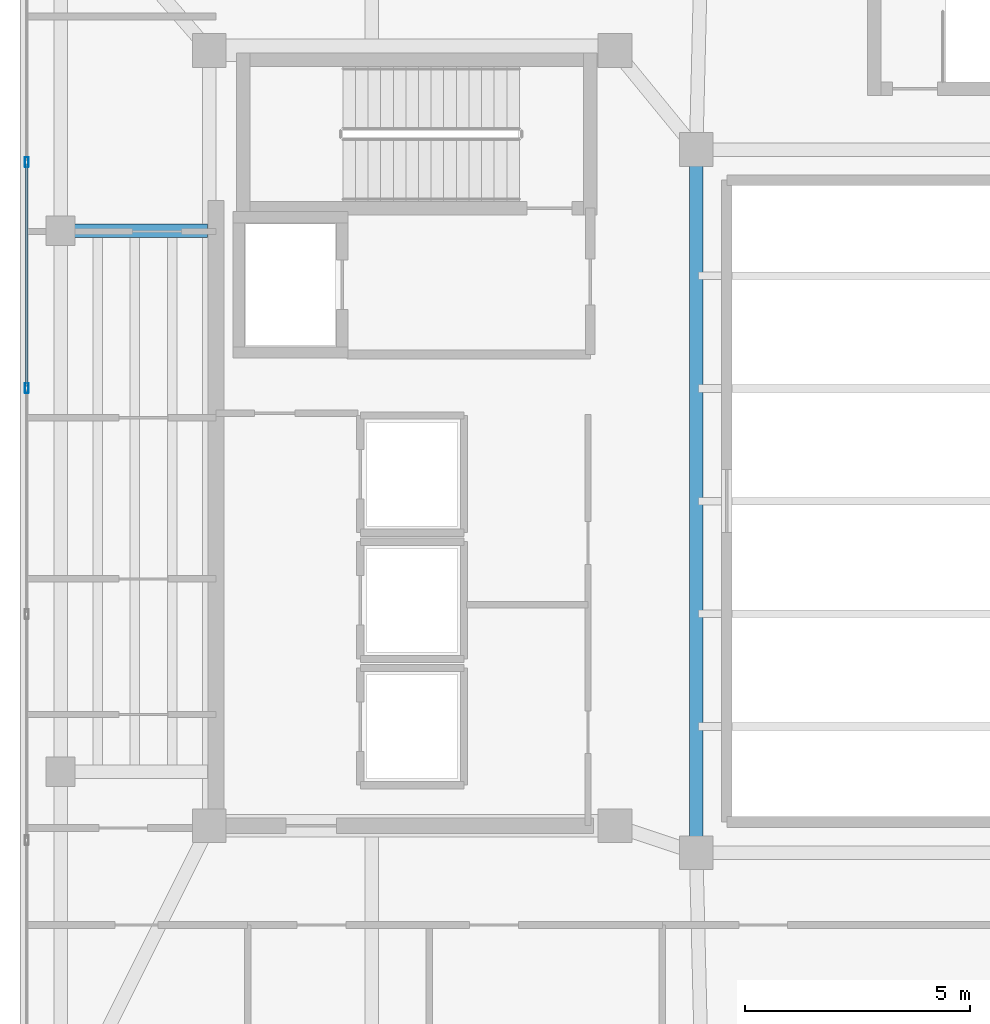
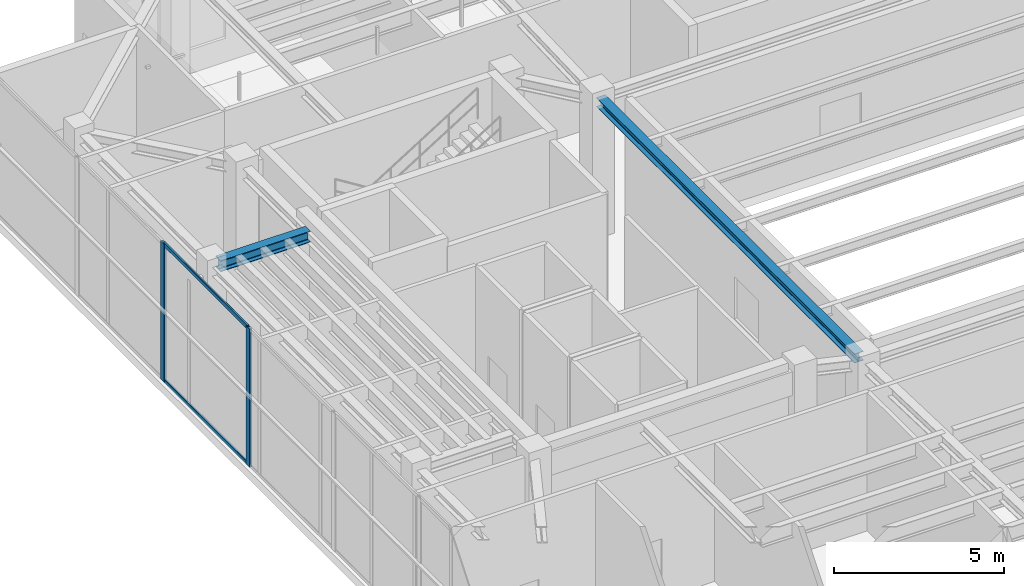
# One storey, part 6 of 23: 4 members, 2 beams, 1 element without a shape of its own.
"""IFC4 building model written with IfcOpenShell, lengths in metres."""

from ifc_helpers import new_model, si_unit, direction, frame, origin, origin_2d, place, context, subcontext, project, spatial, hollow_rectangle, i_section, extrude, material, layer, layer_set, material_profile, profile_set, type_object, element, aggregate, save


model = new_model("IFC4")

# Units and contexts
model_context = context("Model", 3, precision=1e-05, world=origin(), true_north=direction((0.0, 1.0)))
body_context = subcontext(model_context, "Body", "Model", "MODEL_VIEW")
ifc_project = project(units=[si_unit("LENGTHUNIT", "METRE"), si_unit("AREAUNIT", "SQUARE_METRE"), si_unit("VOLUMEUNIT", "CUBIC_METRE"), si_unit("PLANEANGLEUNIT", "RADIAN"), si_unit("MASSUNIT", "GRAM", prefix="KILO")], contexts=[model_context])

# Site, building, storey
site_placement = place(None, origin())
site = spatial("IfcSite", under=ifc_project, at=site_placement, CompositionType="ELEMENT")
building_placement = place(site_placement, origin())
building = spatial("IfcBuilding", under=site, at=building_placement, Name="Tarnavaz Court Tower", CompositionType="ELEMENT")
storey_placement = place(building_placement, frame((0.0, 0.0, 276.300048828125)))
storey = spatial("IfcBuildingStorey", under=building, at=storey_placement, Name="L75", CompositionType="ELEMENT", Elevation=276.300048828125)

# Beams
ifc_material_1 = material(Name="Steel S355", Category="steel")
ifc_material_profile_1 = material_profile(ifc_material_1, i_section(OverallWidth=0.300048828125, OverallDepth=0.39990234375, WebThickness=0.013427734375, FlangeThickness=0.02392578125, FilletRadius=0.027099609375, at=origin_2d()), Name="HEB 400")
ifc_profile_set_1 = profile_set([ifc_material_profile_1], Name="Steel S355")
beam_type_1 = type_object("IfcBeamType", Name="BM-G-HEB400", PredefinedType="USERDEFINED", material=ifc_profile_set_1)
beam_1_placement = place(storey_placement, frame((-18.639892578125, 6.0, 4.75), z_axis=(-1.0, 0.0, 0.0), x_axis=(0.0, -1.0, 0.0)))
element("IfcBeam", 1, at=beam_1_placement, inside=storey, type_object=beam_type_1, Name="L75 Beam RG-14", ObjectType="GIRDER", PredefinedType="USERDEFINED", context=body_context, shape_type="SweptSolid", body=[
    extrude(i_section(OverallWidth=0.300048828125, OverallDepth=0.39990234375, WebThickness=0.013427734375, FlangeThickness=0.02392578125, FilletRadius=0.027099609375, at=origin_2d()), origin(), (0.0, 0.0, 1.0), 3.0400390625),
])
ifc_material_profile_2 = material_profile(ifc_material_1, i_section(OverallWidth=0.300048828125, OverallDepth=0.330078125, WebThickness=0.009521484375, FlangeThickness=0.0166015625, FilletRadius=0.027099609375, at=origin_2d()), Name="HEA 340")
ifc_profile_set_2 = profile_set([ifc_material_profile_2], Name="Steel S355")
beam_type_2 = type_object("IfcBeamType", Name="BM-SP-HEA340", PredefinedType="BEAM", material=ifc_profile_set_2)
beam_2_placement = place(storey_placement, frame((-7.800048828125, -7.580078125, 4.784912109375), z_axis=(0.0, 1.0, 0.0), x_axis=(-1.0, 0.0, 0.0)))
element("IfcBeam", 2, at=beam_2_placement, inside=storey, type_object=beam_type_2, Name="L75 Beam IN-IW-SW-IW-NW", PredefinedType="BEAM", context=body_context, shape_type="SweptSolid", body=[
    extrude(i_section(OverallWidth=0.300048828125, OverallDepth=0.330078125, WebThickness=0.009521484375, FlangeThickness=0.0166015625, FilletRadius=0.027099609375, at=origin_2d()), origin(), (0.0, 0.0, 1.0), 15.16015625),
])

# Curtain wall, members
ifc_material_2 = material(Name="Anodised Aluminium 6063-T6 and Solar Low-E Glazing", Category="aluminium")
ifc_layer = layer(ifc_material_2, 0.2099609375)
ifc_layer_set = layer_set([ifc_layer], Name="Anodised Aluminium 6063-T6 and Solar Low-E Glazing")
curtain_wall_type = type_object("IfcCurtainWallType", Name="CW-SYS-06", PredefinedType="NOTDEFINED", material=ifc_layer_set)
curtain_wall_placement = place(storey_placement, origin())
curtain_wall = element("IfcCurtainWall", 3, at=curtain_wall_placement, inside=storey, type_object=curtain_wall_type, Name="L75 Observation Curtain Wall 2", PredefinedType="NOTDEFINED")
ifc_material_3 = material(Name="Anodised Aluminium 6063-T6", Category="aluminium")
ifc_material_profile_3 = material_profile(ifc_material_3, hollow_rectangle(XDim=0.0849609375, YDim=0.219970703125, WallThickness=0.006103515625, InnerFilletRadius=0.006103515625, OuterFilletRadius=0.011962890625, at=origin_2d()), Name="ALU RHS 220X85X6")
ifc_profile_set_3 = profile_set([ifc_material_profile_3], Name="Anodised Aluminium 6063-T6")
member_type_1 = type_object("IfcMemberType", Name="CW-MUL-220", PredefinedType="MULLION", material=ifc_profile_set_3)
member_1_placement = place(storey_placement, frame((-22.64990234375, 2.507080078125, 0.0), z_axis=(0.0, 0.0, 1.0), x_axis=(-1.0, 0.0, 0.0)))
member_1 = element("IfcMember", 4, at=member_1_placement, type_object=member_type_1, Name="CW mullion 5", PredefinedType="MULLION", context=body_context, shape_type="SweptSolid", body=[
    extrude(hollow_rectangle(XDim=0.0849609375, YDim=0.219970703125, WallThickness=0.006103515625, InnerFilletRadius=0.006103515625, OuterFilletRadius=0.011962890625, at=origin_2d()), origin(), (0.0, 0.0, 1.0), 4.949951171875),
])
member_2_placement = place(storey_placement, frame((-22.64990234375, 7.521484375, 0.0), z_axis=(0.0, 0.0, 1.0), x_axis=(-1.0, 0.0, 0.0)))
member_2 = element("IfcMember", 5, at=member_2_placement, type_object=member_type_1, Name="CW mullion 6", PredefinedType="MULLION", context=body_context, shape_type="SweptSolid", body=[
    extrude(hollow_rectangle(XDim=0.0849609375, YDim=0.219970703125, WallThickness=0.006103515625, InnerFilletRadius=0.006103515625, OuterFilletRadius=0.011962890625, at=origin_2d()), origin(), (0.0, 0.0, 1.0), 4.949951171875),
])
ifc_material_profile_4 = material_profile(ifc_material_3, hollow_rectangle(XDim=0.06494140625, YDim=0.139892578125, WallThickness=0.00390625, InnerFilletRadius=0.00390625, OuterFilletRadius=0.008056640625, at=origin_2d()), Name="ALU RHS 140X65X4")
ifc_profile_set_4 = profile_set([ifc_material_profile_4], Name="Anodised Aluminium 6063-T6")
member_type_2 = type_object("IfcMemberType", Name="CW-TRN-140", PredefinedType="USERDEFINED", material=ifc_profile_set_4)
member_3_placement = place(storey_placement, frame((-22.64990234375, 2.549560546875, 0.032470703125), z_axis=(0.0, 1.0, 0.0), x_axis=(-1.0, 0.0, 0.0)))
member_3 = element("IfcMember", 6, at=member_3_placement, type_object=member_type_2, Name="CW transom 5.1", ObjectType="TRANSOM", PredefinedType="USERDEFINED", context=body_context, shape_type="SweptSolid", body=[
    extrude(hollow_rectangle(XDim=0.06494140625, YDim=0.139892578125, WallThickness=0.00390625, InnerFilletRadius=0.00390625, OuterFilletRadius=0.008056640625, at=origin_2d()), origin(), (0.0, 0.0, 1.0), 4.929443359375),
])
member_4_placement = place(storey_placement, frame((-22.64990234375, 2.549560546875, 4.91748046875), z_axis=(0.0, 1.0, 0.0), x_axis=(-1.0, 0.0, 0.0)))
member_4 = element("IfcMember", 7, at=member_4_placement, type_object=member_type_2, Name="CW transom 5.2", ObjectType="TRANSOM", PredefinedType="USERDEFINED", context=body_context, shape_type="SweptSolid", body=[
    extrude(hollow_rectangle(XDim=0.06494140625, YDim=0.139892578125, WallThickness=0.00390625, InnerFilletRadius=0.00390625, OuterFilletRadius=0.008056640625, at=origin_2d()), origin(), (0.0, 0.0, 1.0), 4.929443359375),
])
aggregate(curtain_wall, [member_1, member_2, member_3, member_4])

save(model, "model.ifc")
